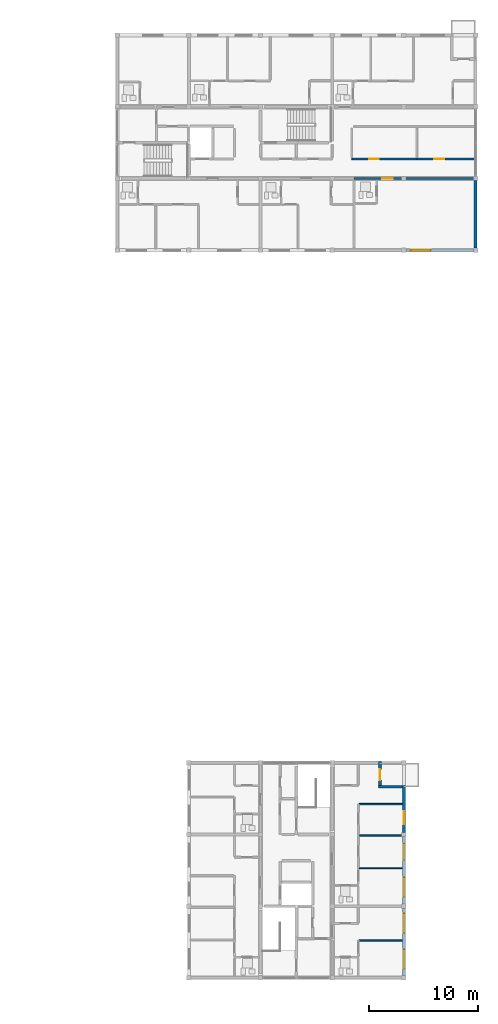
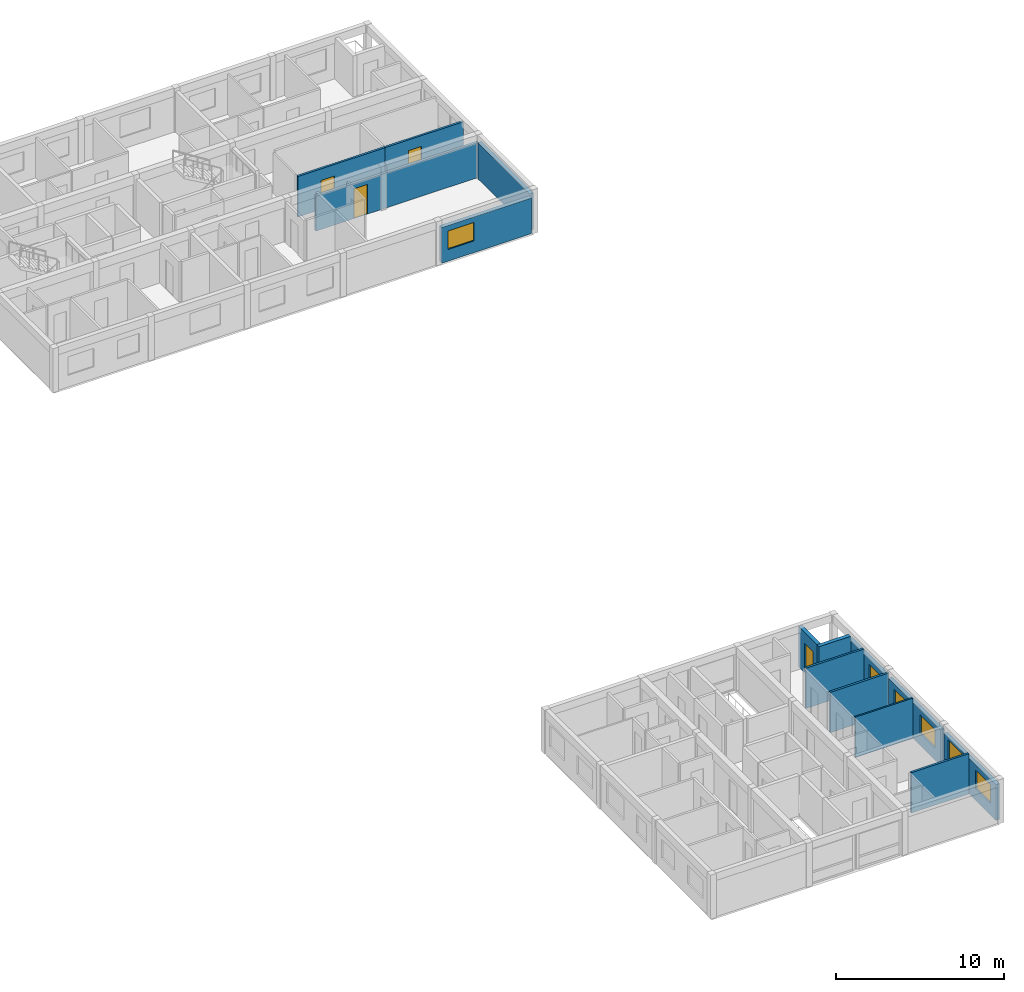
# One storey, part 27 of 34: 14 walls, 6 windows, 4 doors, 10 openings.
"""IFC4 building model written with IfcOpenShell, lengths in metres."""

from ifc_helpers import new_model, si_unit, direction, frame, frame_2d, origin, place, context, subcontext, project, spatial, rectangle, extrude, material, layer, layer_set, type_object, element, fill, save


model = new_model("IFC4")

# Units and contexts
model_context = context("Model", 3, precision=1e-05, world=origin(), true_north=direction((0.0, 1.0)))
body_context = subcontext(model_context, "Body", "Model", "MODEL_VIEW")
ifc_project = project(units=[si_unit("LENGTHUNIT", "METRE"), si_unit("AREAUNIT", "SQUARE_METRE"), si_unit("VOLUMEUNIT", "CUBIC_METRE"), si_unit("PLANEANGLEUNIT", "RADIAN"), si_unit("MASSUNIT", "GRAM", prefix="KILO")], contexts=[model_context])

# Site, building, storey
site_placement = place(None, origin())
site = spatial("IfcSite", under=ifc_project, at=site_placement, CompositionType="ELEMENT")
building_placement = place(site_placement, origin())
building = spatial("IfcBuilding", under=site, at=building_placement, Name="Kernevlak Ridge Housing Community", CompositionType="ELEMENT")
storey_placement = place(building_placement, frame((0.0, 0.0, 40.39990234375)))
storey = spatial("IfcBuildingStorey", under=building, at=storey_placement, Name="L12", CompositionType="ELEMENT", Elevation=40.39990234375)

# Wall, opening, window
ifc_material_1 = material(Name="Concrete block masonry M10", Category="masonry")
ifc_layer_1 = layer(ifc_material_1, 0.260009765625, Name="Concrete block masonry M10")
ifc_layer_set_1 = layer_set([ifc_layer_1], Name="Concrete block masonry M10")
wall_type_1 = type_object("IfcWallType", Name="EW-05", PredefinedType="STANDARD", material=ifc_layer_set_1)
wall_1_placement = place(storey_placement, frame((146.0, 82.60009765625, 0.0), z_axis=(0.0, 0.0, 1.0), x_axis=(1.0, 0.0, 0.0)))
wall_1 = element("IfcWall", 1, at=wall_1_placement, inside=storey, type_object=wall_type_1, Name="Exterior wall EW-05 L12 487", PredefinedType="STANDARD", context=body_context, shape_type="SweptSolid", body=[
    extrude(rectangle(XDim=6.199951171875, YDim=0.260009765625, at=frame_2d((3.10009765625, 0.0))), origin(), (0.0, 0.0, 1.0), 2.60009765625),
])
opening_1_placement = place(wall_1_placement, frame((0.449951171875, 0.0, 0.85009765625)))
opening_1 = element("IfcOpeningElement", 2, at=opening_1_placement, cuts=wall_1, Name="Opening WT-03", PredefinedType="OPENING", context=body_context, shape_type="SweptSolid", body=[
    extrude(rectangle(XDim=1.800048828125, YDim=1.35009765625, at=frame_2d((0.89990234375, 0.675048828125))), frame((0.0, 0.139892578125, 0.0), z_axis=(0.0, -1.0, 0.0), x_axis=(1.0, 0.0, 0.0)), (0.0, 0.0, 1.0), 0.280029296875),
])
ifc_material_2 = material(Name="Aluminium EN AW-6060 anodised and laminated glass", Category="aluminium")
window_type_1 = type_object("IfcWindowType", Name="WT-03", PartitioningType="SINGLE_PANEL", PredefinedType="WINDOW", material=ifc_material_2)
window_1_placement = place(opening_1_placement, origin())
window_1 = element("IfcWindow", 3, at=window_1_placement, inside=storey, type_object=window_type_1, Name="Window WT-03 L12 379", OverallHeight=1.35009765625, OverallWidth=1.800048828125, PartitioningType="SINGLE_PANEL", PredefinedType="WINDOW", context=body_context, shape_type="SweptSolid", body=[
    extrude(rectangle(XDim=1.800048828125, YDim=1.35009765625, at=frame_2d((0.89990234375, 0.675048828125))), frame((0.0, 0.030029296875, 0.0), z_axis=(0.0, -1.0, 0.0), x_axis=(1.0, 0.0, 0.0)), (0.0, 0.0, 1.0), 0.06005859375),
])
fill(opening_1, window_1)

# Wall
wall_2_placement = place(storey_placement, frame((152.39990234375, 82.800048828125, 0.0), z_axis=(0.0, 0.0, 1.0), x_axis=(0.0, 1.0, 0.0)))
element("IfcWall", 4, at=wall_2_placement, inside=storey, type_object=wall_type_1, Name="Exterior wall EW-05 L12 497", PredefinedType="STANDARD", context=body_context, shape_type="SweptSolid", body=[
    extrude(rectangle(XDim=6.199951171875, YDim=0.260009765625, at=frame_2d((3.10009765625, 0.0))), origin(), (0.0, 0.0, 1.0), 2.650146484375),
])

# Wall, openings, windows
wall_3_placement = place(storey_placement, frame((145.800048828125, 15.800048828125, 0.0), z_axis=(0.0, 0.0, 1.0), x_axis=(0.0, 1.0, 0.0)))
wall_3 = element("IfcWall", 5, at=wall_3_placement, inside=storey, type_object=wall_type_1, Name="Exterior wall EW-05 L12 700", PredefinedType="STANDARD", context=body_context, shape_type="SweptSolid", body=[
    extrude(rectangle(XDim=6.199951171875, YDim=0.260009765625, at=frame_2d((3.10009765625, 0.0))), origin(), (0.0, 0.0, 1.0), 2.60009765625),
])
opening_2_placement = place(wall_3_placement, frame((0.625, 0.0, 0.85009765625)))
opening_2 = element("IfcOpeningElement", 6, at=opening_2_placement, cuts=wall_3, Name="Opening WT-03", PredefinedType="OPENING", context=body_context, shape_type="SweptSolid", body=[
    extrude(rectangle(XDim=1.800048828125, YDim=1.35009765625, at=frame_2d((0.89990234375, 0.675048828125))), frame((0.0, 0.139892578125, 0.0), z_axis=(0.0, -1.0, 0.0), x_axis=(1.0, 0.0, 0.0)), (0.0, 0.0, 1.0), 0.280029296875),
])
opening_3_placement = place(wall_3_placement, frame((3.925048828125, 0.0, 0.85009765625)))
opening_3 = element("IfcOpeningElement", 7, at=opening_3_placement, cuts=wall_3, Name="Opening WT-04", PredefinedType="OPENING", context=body_context, shape_type="SweptSolid", body=[
    extrude(rectangle(XDim=1.800048828125, YDim=1.550048828125, at=frame_2d((0.89990234375, 0.77490234375))), frame((0.0, 0.139892578125, 0.0), z_axis=(0.0, -1.0, 0.0), x_axis=(1.0, 0.0, 0.0)), (0.0, 0.0, 1.0), 0.280029296875),
])
window_2_placement = place(opening_2_placement, origin())
window_2 = element("IfcWindow", 8, at=window_2_placement, inside=storey, type_object=window_type_1, Name="Window WT-03 L12 573", OverallHeight=1.35009765625, OverallWidth=1.800048828125, PartitioningType="SINGLE_PANEL", PredefinedType="WINDOW", context=body_context, shape_type="SweptSolid", body=[
    extrude(rectangle(XDim=1.800048828125, YDim=1.35009765625, at=frame_2d((0.89990234375, 0.675048828125))), frame((0.0, 0.030029296875, 0.0), z_axis=(0.0, -1.0, 0.0), x_axis=(1.0, 0.0, 0.0)), (0.0, 0.0, 1.0), 0.06005859375),
])
fill(opening_2, window_2)
window_type_2 = type_object("IfcWindowType", Name="WT-04", PartitioningType="SINGLE_PANEL", PredefinedType="WINDOW", material=ifc_material_2)
window_3_placement = place(opening_3_placement, origin())
window_3 = element("IfcWindow", 9, at=window_3_placement, inside=storey, type_object=window_type_2, Name="Window WT-04 L12 574", OverallHeight=1.550048828125, OverallWidth=1.800048828125, PartitioningType="SINGLE_PANEL", PredefinedType="WINDOW", context=body_context, shape_type="SweptSolid", body=[
    extrude(rectangle(XDim=1.800048828125, YDim=1.550048828125, at=frame_2d((0.89990234375, 0.77490234375))), frame((0.0, 0.030029296875, 0.0), z_axis=(0.0, -1.0, 0.0), x_axis=(1.0, 0.0, 0.0)), (0.0, 0.0, 1.0), 0.06005859375),
])
fill(opening_3, window_3)

wall_4_placement = place(storey_placement, frame((145.800048828125, 22.39990234375, 0.0), z_axis=(0.0, 0.0, 1.0), x_axis=(0.0, 1.0, 0.0)))
wall_4 = element("IfcWall", 10, at=wall_4_placement, inside=storey, type_object=wall_type_1, Name="Exterior wall EW-05 L12 701", PredefinedType="STANDARD", context=body_context, shape_type="SweptSolid", body=[
    extrude(rectangle(XDim=6.2001953125, YDim=0.260009765625, at=frame_2d((3.10009765625, 0.0))), origin(), (0.0, 0.0, 1.0), 2.60009765625),
])
opening_4_placement = place(wall_4_placement, frame((0.64990234375, 0.0, 0.85009765625)))
opening_4 = element("IfcOpeningElement", 11, at=opening_4_placement, cuts=wall_4, Name="Opening WT-03", PredefinedType="OPENING", context=body_context, shape_type="SweptSolid", body=[
    extrude(rectangle(XDim=1.800048828125, YDim=1.35009765625, at=frame_2d((0.89990234375, 0.675048828125))), frame((0.0, 0.139892578125, 0.0), z_axis=(0.0, -1.0, 0.0), x_axis=(1.0, 0.0, 0.0)), (0.0, 0.0, 1.0), 0.280029296875),
])
opening_5_placement = place(wall_4_placement, frame((4.050048828125, 0.0, 0.85009765625)))
opening_5 = element("IfcOpeningElement", 12, at=opening_5_placement, cuts=wall_4, Name="Opening WT-02", PredefinedType="OPENING", context=body_context, shape_type="SweptSolid", body=[
    extrude(rectangle(XDim=1.5, YDim=1.35009765625, at=frame_2d((0.75, 0.675048828125))), frame((0.0, 0.139892578125, 0.0), z_axis=(0.0, -1.0, 0.0), x_axis=(1.0, 0.0, 0.0)), (0.0, 0.0, 1.0), 0.280029296875),
])
window_type_3 = type_object("IfcWindowType", Name="WT-02", PartitioningType="SINGLE_PANEL", PredefinedType="WINDOW", material=ifc_material_2)
window_4_placement = place(opening_5_placement, origin())
window_4 = element("IfcWindow", 13, at=window_4_placement, inside=storey, type_object=window_type_3, Name="Window WT-02 L12 576", OverallHeight=1.35009765625, OverallWidth=1.5, PartitioningType="SINGLE_PANEL", PredefinedType="WINDOW", context=body_context, shape_type="SweptSolid", body=[
    extrude(rectangle(XDim=1.5, YDim=1.35009765625, at=frame_2d((0.75, 0.675048828125))), frame((0.0, 0.030029296875, 0.0), z_axis=(0.0, -1.0, 0.0), x_axis=(1.0, 0.0, 0.0)), (0.0, 0.0, 1.0), 0.06005859375),
])
fill(opening_5, window_4)
window_5_placement = place(opening_4_placement, origin())
window_5 = element("IfcWindow", 14, at=window_5_placement, inside=storey, type_object=window_type_1, Name="Window WT-03 L12 575", OverallHeight=1.35009765625, OverallWidth=1.800048828125, PartitioningType="SINGLE_PANEL", PredefinedType="WINDOW", context=body_context, shape_type="SweptSolid", body=[
    extrude(rectangle(XDim=1.800048828125, YDim=1.35009765625, at=frame_2d((0.89990234375, 0.675048828125))), frame((0.0, 0.030029296875, 0.0), z_axis=(0.0, -1.0, 0.0), x_axis=(1.0, 0.0, 0.0)), (0.0, 0.0, 1.0), 0.06005859375),
])
fill(opening_4, window_5)

# Wall, opening, window
wall_5_placement = place(storey_placement, frame((145.800048828125, 29.0, 0.0), z_axis=(0.0, 0.0, 1.0), x_axis=(0.0, 1.0, 0.0)))
wall_5 = element("IfcWall", 15, at=wall_5_placement, inside=storey, type_object=wall_type_1, Name="Exterior wall EW-05 L12 702", PredefinedType="STANDARD", context=body_context, shape_type="SweptSolid", body=[
    extrude(rectangle(XDim=4.330078125, YDim=0.260009765625, at=frame_2d((2.1650390625, 0.0))), origin(), (0.0, 0.0, 1.0), 2.60009765625),
])
opening_6_placement = place(wall_5_placement, frame((0.75, 0.0, 0.85009765625)))
opening_6 = element("IfcOpeningElement", 16, at=opening_6_placement, cuts=wall_5, Name="Opening WT-01", PredefinedType="OPENING", context=body_context, shape_type="SweptSolid", body=[
    extrude(rectangle(XDim=1.199951171875, YDim=1.35009765625, at=frame_2d((0.60009765625, 0.675048828125))), frame((0.0, 0.139892578125, 0.0), z_axis=(0.0, -1.0, 0.0), x_axis=(1.0, 0.0, 0.0)), (0.0, 0.0, 1.0), 0.280029296875),
])
window_type_4 = type_object("IfcWindowType", Name="WT-01", PartitioningType="SINGLE_PANEL", PredefinedType="WINDOW", material=ifc_material_2)
window_6_placement = place(opening_6_placement, origin())
window_6 = element("IfcWindow", 17, at=window_6_placement, inside=storey, type_object=window_type_4, Name="Window WT-01 L12 577", OverallHeight=1.35009765625, OverallWidth=1.199951171875, PartitioningType="SINGLE_PANEL", PredefinedType="WINDOW", context=body_context, shape_type="SweptSolid", body=[
    extrude(rectangle(XDim=1.199951171875, YDim=1.35009765625, at=frame_2d((0.60009765625, 0.675048828125))), frame((0.0, 0.030029296875, 0.0), z_axis=(0.0, -1.0, 0.0), x_axis=(1.0, 0.0, 0.0)), (0.0, 0.0, 1.0), 0.06005859375),
])
fill(opening_6, window_6)

# Wall
wall_6_placement = place(storey_placement, frame((145.669921875, 33.199951171875, 0.0), z_axis=(0.0, 0.0, 1.0), x_axis=(-1.0, 0.0, 0.0)))
element("IfcWall", 18, at=wall_6_placement, inside=storey, type_object=wall_type_1, Name="Exterior wall EW-05 L12 703", PredefinedType="STANDARD", context=body_context, shape_type="SweptSolid", body=[
    extrude(rectangle(XDim=2.199951171875, YDim=0.260009765625, at=frame_2d((1.10009765625, 0.0))), origin(), (0.0, 0.0, 1.0), 2.940185546875),
])

# Wall, opening, door
wall_7_placement = place(storey_placement, frame((143.60009765625, 33.330078125, 0.0), z_axis=(0.0, 0.0, 1.0), x_axis=(0.0, 1.0, 0.0)))
wall_7 = element("IfcWall", 19, at=wall_7_placement, inside=storey, type_object=wall_type_1, Name="Exterior wall EW-05 L12 704", PredefinedType="STANDARD", context=body_context, shape_type="SweptSolid", body=[
    extrude(rectangle(XDim=2.199951171875, YDim=0.260009765625, at=frame_2d((1.10009765625, 0.0))), origin(), (0.0, 0.0, 1.0), 2.940185546875),
])
opening_7_placement = place(wall_7_placement, frame((0.469970703125, 0.0, 0.0)))
opening_7 = element("IfcOpeningElement", 20, at=opening_7_placement, cuts=wall_7, Name="Opening E470", PredefinedType="OPENING", context=body_context, shape_type="SweptSolid", body=[
    extrude(rectangle(XDim=1.0, YDim=2.14990234375, at=frame_2d((0.5, 1.074951171875))), frame((0.0, 0.139892578125, 0.0), z_axis=(0.0, -1.0, 0.0), x_axis=(1.0, 0.0, 0.0)), (0.0, 0.0, 1.0), 0.280029296875),
])
ifc_material_3 = material(Name="Aluminium EN AW-6060 and laminated safety glass", Category="aluminium")
door_type_1 = type_object("IfcDoorType", Name="DT-08", OperationType="NOTDEFINED", PredefinedType="DOOR", material=ifc_material_3)
door_1_placement = place(opening_7_placement, origin())
door_1 = element("IfcDoor", 21, at=door_1_placement, inside=storey, type_object=door_type_1, Name="Flat C1222 corner balcony glazed door E470", OperationType="SINGLE_SWING_LEFT", OverallHeight=2.14990234375, OverallWidth=1.0, PredefinedType="DOOR", context=body_context, shape_type="SweptSolid", body=[
    extrude(rectangle(XDim=1.0, YDim=2.14990234375, at=frame_2d((0.5, 1.074951171875))), frame((0.0, 0.02490234375, 0.0), z_axis=(0.0, -1.0, 0.0), x_axis=(1.0, 0.0, 0.0)), (0.0, 0.0, 1.0), 0.050048828125),
])
fill(opening_7, door_1)

ifc_layer_2 = layer(ifc_material_1, 0.175048828125, Name="Concrete block masonry M10")
ifc_layer_set_2 = layer_set([ifc_layer_2], Name="Concrete block masonry M10")
wall_type_2 = type_object("IfcWallType", Name="PW-02", PredefinedType="PARTITIONING", material=ifc_layer_set_2)
wall_8_placement = place(storey_placement, frame((141.199951171875, 89.199951171875, 0.0), z_axis=(0.0, 0.0, 1.0), x_axis=(1.0, 0.0, 0.0)))
wall_8 = element("IfcWall", 22, at=wall_8_placement, inside=storey, type_object=wall_type_2, Name="Interior wall PW-02 WAL-INT-L12-1929", PredefinedType="PARTITIONING", context=body_context, shape_type="SweptSolid", body=[
    extrude(rectangle(XDim=11.199951171875, YDim=0.175048828125, at=frame_2d((5.60009765625, 0.0))), origin(), (0.0, 0.0, 1.0), 2.550048828125),
])
opening_8_placement = place(wall_8_placement, frame((2.60009765625, 0.0, 0.0)))
opening_8 = element("IfcOpeningElement", 23, at=opening_8_placement, cuts=wall_8, Name="Opening D976", PredefinedType="OPENING", context=body_context, shape_type="SweptSolid", body=[
    extrude(rectangle(XDim=0.949951171875, YDim=2.159912109375, at=frame_2d((0.47509765625, 1.080078125))), frame((0.0, 0.097412109375, 0.0), z_axis=(0.0, -1.0, 0.0), x_axis=(1.0, 0.0, 0.0)), (0.0, 0.0, 1.0), 0.195068359375),
])
ifc_material_4 = material(Name="Hardwood timber solid-core fire leaf", Category="wood")
door_type_2 = type_object("IfcDoorType", Name="DT-02", OperationType="NOTDEFINED", PredefinedType="DOOR", material=ifc_material_4)
door_2_placement = place(opening_8_placement, origin())
door_2 = element("IfcDoor", 24, at=door_2_placement, inside=storey, type_object=door_type_2, Name="Flat B1213 entrance fire door D976", OperationType="SINGLE_SWING_RIGHT", OverallHeight=2.159912109375, OverallWidth=0.949951171875, PredefinedType="DOOR", context=body_context, shape_type="SweptSolid", body=[
    extrude(rectangle(XDim=0.949951171875, YDim=2.159912109375, at=frame_2d((0.47509765625, 1.080078125))), frame((0.0, 0.02490234375, 0.0), z_axis=(0.0, -1.0, 0.0), x_axis=(1.0, 0.0, 0.0)), (0.0, 0.0, 1.0), 0.050048828125),
])
fill(opening_8, door_2)

ifc_layer_3 = layer(ifc_material_1, 0.14501953125, Name="Concrete block masonry M10")
ifc_layer_set_3 = layer_set([ifc_layer_3], Name="Concrete block masonry M10")
wall_type_3 = type_object("IfcWallType", Name="PW-03", PredefinedType="PARTITIONING", material=ifc_layer_set_3)
wall_9_placement = place(storey_placement, frame((141.0, 91.0, 0.0), z_axis=(0.0, 0.0, 1.0), x_axis=(1.0, 0.0, 0.0)))
wall_9 = element("IfcWall", 25, at=wall_9_placement, inside=storey, type_object=wall_type_3, Name="Interior wall PW-03 WAL-INT-L12-1907", PredefinedType="PARTITIONING", context=body_context, shape_type="SweptSolid", body=[
    extrude(rectangle(XDim=6.0, YDim=0.14501953125, at=frame_2d((3.0, 0.0))), origin(), (0.0, 0.0, 1.0), 2.945068359375),
])
opening_9_placement = place(wall_9_placement, frame((1.60009765625, 0.0, 0.0)))
opening_9 = element("IfcOpeningElement", 26, at=opening_9_placement, cuts=wall_9, Name="Opening D965", PredefinedType="OPENING", context=body_context, shape_type="SweptSolid", body=[
    extrude(rectangle(XDim=0.89990234375, YDim=2.10009765625, at=frame_2d((0.449951171875, 1.050048828125))), frame((0.0, 0.08251953125, 0.0), z_axis=(0.0, -1.0, 0.0), x_axis=(1.0, 0.0, 0.0)), (0.0, 0.0, 1.0), 0.1650390625),
])
ifc_material_5 = material(Name="Hardwood timber leaf", Category="wood")
door_type_3 = type_object("IfcDoorType", Name="DT-21", OperationType="NOTDEFINED", PredefinedType="DOOR", material=ifc_material_5)
door_3_placement = place(opening_9_placement, origin())
door_3 = element("IfcDoor", 27, at=door_3_placement, inside=storey, type_object=door_type_3, Name="Block B Laundry room door D965", OperationType="SINGLE_SWING_LEFT", OverallHeight=2.10009765625, OverallWidth=0.89990234375, PredefinedType="DOOR", context=body_context, shape_type="SweptSolid", body=[
    extrude(rectangle(XDim=0.89990234375, YDim=2.10009765625, at=frame_2d((0.449951171875, 1.050048828125))), frame((0.0, 0.02490234375, 0.0), z_axis=(0.0, -1.0, 0.0), x_axis=(1.0, 0.0, 0.0)), (0.0, 0.0, 1.0), 0.050048828125),
])
fill(opening_9, door_3)

wall_10_placement = place(storey_placement, frame((147.0, 91.0, 0.0), z_axis=(0.0, 0.0, 1.0), x_axis=(1.0, 0.0, 0.0)))
wall_10 = element("IfcWall", 28, at=wall_10_placement, inside=storey, type_object=wall_type_3, Name="Interior wall PW-03 WAL-INT-L12-1908", PredefinedType="PARTITIONING", context=body_context, shape_type="SweptSolid", body=[
    extrude(rectangle(XDim=5.39990234375, YDim=0.14501953125, at=frame_2d((2.699951171875, 0.0))), origin(), (0.0, 0.0, 1.0), 2.945068359375),
])
opening_10_placement = place(wall_10_placement, frame((1.60009765625, 0.0, 0.0)))
opening_10 = element("IfcOpeningElement", 29, at=opening_10_placement, cuts=wall_10, Name="Opening D966", PredefinedType="OPENING", context=body_context, shape_type="SweptSolid", body=[
    extrude(rectangle(XDim=0.89990234375, YDim=2.159912109375, at=frame_2d((0.449951171875, 1.080078125))), frame((0.0, 0.08251953125, 0.0), z_axis=(0.0, -1.0, 0.0), x_axis=(1.0, 0.0, 0.0)), (0.0, 0.0, 1.0), 0.1650390625),
])
door_type_4 = type_object("IfcDoorType", Name="DT-22", OperationType="NOTDEFINED", PredefinedType="DOOR", material=ifc_material_5)
door_4_placement = place(opening_10_placement, origin())
door_4 = element("IfcDoor", 30, at=door_4_placement, inside=storey, type_object=door_type_4, Name="Block B Study room door D966", OperationType="SINGLE_SWING_RIGHT", OverallHeight=2.159912109375, OverallWidth=0.89990234375, PredefinedType="DOOR", context=body_context, shape_type="SweptSolid", body=[
    extrude(rectangle(XDim=0.89990234375, YDim=2.159912109375, at=frame_2d((0.449951171875, 1.080078125))), frame((0.0, 0.02490234375, 0.0), z_axis=(0.0, -1.0, 0.0), x_axis=(1.0, 0.0, 0.0)), (0.0, 0.0, 1.0), 0.050048828125),
])
fill(opening_10, door_4)

# Walls
wall_11_placement = place(storey_placement, frame((141.6826171875, 19.050048828125, 0.0), z_axis=(0.0, 0.0, 1.0), x_axis=(1.0, 0.0, 0.0)))
element("IfcWall", 31, at=wall_11_placement, inside=storey, type_object=wall_type_3, Name="Interior wall PW-03 WAL-INT-L12-2884", PredefinedType="PARTITIONING", context=body_context, shape_type="SweptSolid", body=[
    extrude(rectangle(XDim=3.977294921875, YDim=0.14501953125, at=frame_2d((1.98876953125, 0.0))), origin(), (0.0, 0.0, 1.0), 2.940185546875),
])
wall_12_placement = place(storey_placement, frame((141.6826171875, 28.699951171875, 0.0), z_axis=(0.0, 0.0, 1.0), x_axis=(1.0, 0.0, 0.0)))
element("IfcWall", 32, at=wall_12_placement, inside=storey, type_object=wall_type_3, Name="Interior wall PW-03 WAL-INT-L12-2893", PredefinedType="PARTITIONING", context=body_context, shape_type="SweptSolid", body=[
    extrude(rectangle(XDim=4.037353515625, YDim=0.14501953125, at=frame_2d((2.0185546875, 0.0))), origin(), (0.0, 0.0, 1.0), 2.940185546875),
])
wall_13_placement = place(storey_placement, frame((141.6826171875, 31.60009765625, 0.0), z_axis=(0.0, 0.0, 1.0), x_axis=(1.0, 0.0, 0.0)))
element("IfcWall", 33, at=wall_13_placement, inside=storey, type_object=wall_type_3, Name="Interior wall PW-03 WAL-INT-L12-2895", PredefinedType="PARTITIONING", context=body_context, shape_type="SweptSolid", body=[
    extrude(rectangle(XDim=3.977294921875, YDim=0.14501953125, at=frame_2d((1.98876953125, 0.0))), origin(), (0.0, 0.0, 1.0), 2.940185546875),
])
ifc_material_6 = material(Name="Gypsum plasterboard EN 520", Category="gypsum")
ifc_layer_4 = layer(ifc_material_6, 0.10498046875, Name="Gypsum plasterboard EN 520")
ifc_layer_set_4 = layer_set([ifc_layer_4], Name="Gypsum plasterboard EN 520")
wall_type_4 = type_object("IfcWallType", Name="PW-06", PredefinedType="PARTITIONING", material=ifc_layer_set_4)
wall_14_placement = place(storey_placement, frame((141.6826171875, 25.699951171875, 0.0), z_axis=(0.0, 0.0, 1.0), x_axis=(1.0, 0.0, 0.0)))
element("IfcWall", 34, at=wall_14_placement, inside=storey, type_object=wall_type_4, Name="Interior wall PW-06 WAL-INT-L12-2891", PredefinedType="PARTITIONING", context=body_context, shape_type="SweptSolid", body=[
    extrude(rectangle(XDim=3.977294921875, YDim=0.10498046875, at=frame_2d((1.98876953125, 0.0))), origin(), (0.0, 0.0, 1.0), 2.940185546875),
])

save(model, "model.ifc")
